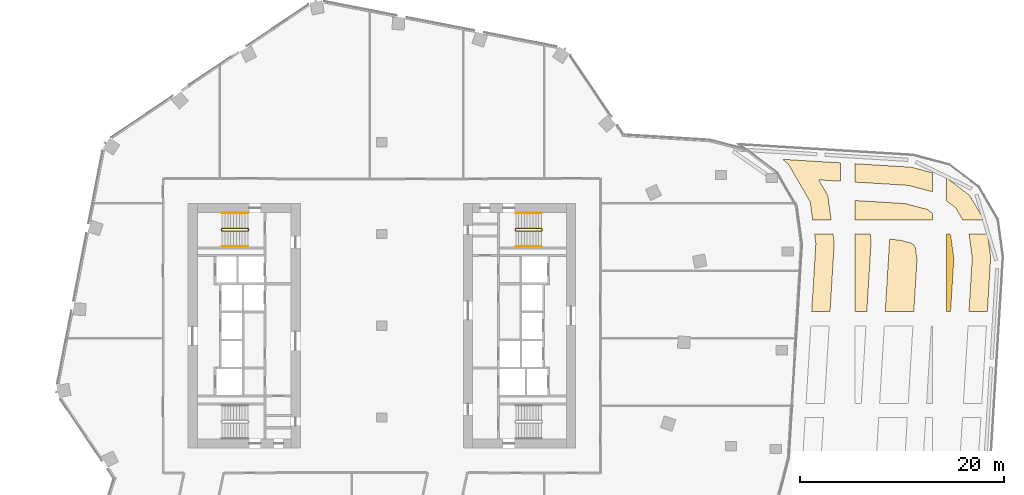
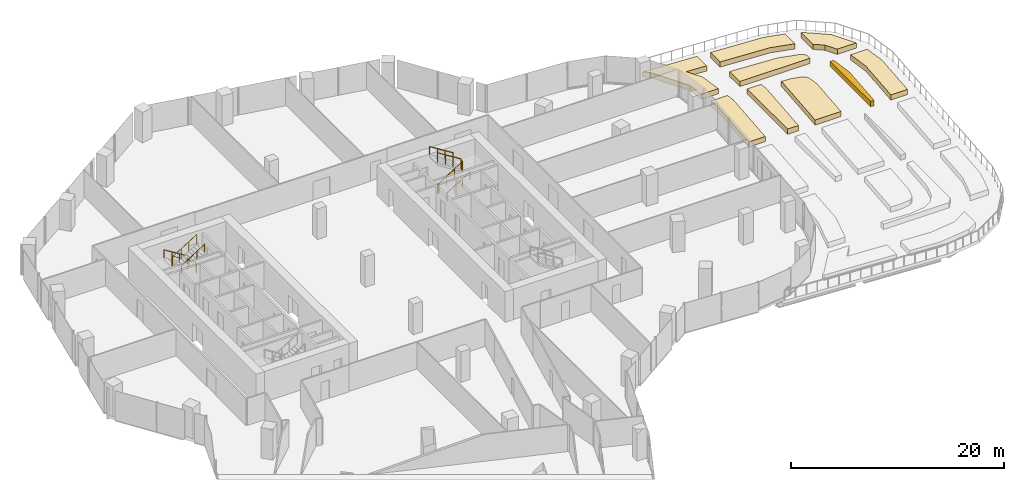
# One storey, part 26 of 26: 9 coverings, 6 railings.
"""IFC4 building model written with IfcOpenShell, lengths in metres."""

from ifc_helpers import new_model, si_unit, direction, frame, origin, origin_2d, place, context, subcontext, project, spatial, polyline, circle, outline, extrude, material, layer, layer_set, type_object, element, save


model = new_model("IFC4")

# Units and contexts
model_context = context("Model", 3, precision=1e-05, world=origin(), true_north=direction((0.0, 1.0)))
body_context = subcontext(model_context, "Body", "Model", "MODEL_VIEW")
ifc_project = project(units=[si_unit("LENGTHUNIT", "METRE"), si_unit("AREAUNIT", "SQUARE_METRE"), si_unit("VOLUMEUNIT", "CUBIC_METRE"), si_unit("PLANEANGLEUNIT", "RADIAN"), si_unit("MASSUNIT", "GRAM", prefix="KILO")], contexts=[model_context])

# Site, building, storey
site_placement = place(None, origin())
site = spatial("IfcSite", under=ifc_project, at=site_placement, CompositionType="ELEMENT")
building_placement = place(site_placement, origin())
building = spatial("IfcBuilding", under=site, at=building_placement, Name="Orlundy Tower", CompositionType="ELEMENT")
storey_placement = place(building_placement, frame((0.0, 0.0, 156.10009765625)))
storey = spatial("IfcBuildingStorey", under=building, at=storey_placement, Name="L40", CompositionType="ELEMENT", Elevation=156.10009765625)

# Coverings
ifc_material_1 = material(Name="Planted soil in precast concrete trough", Category="concrete")
ifc_layer = layer(ifc_material_1, 0.60009765625)
ifc_layer_set = layer_set([ifc_layer], Name="PLANTER box")
covering_type = type_object("IfcCoveringType", Name="PLANTER box", PredefinedType="USERDEFINED", material=ifc_layer_set)
covering_1_placement = place(storey_placement, origin())
element("IfcCovering", 1, at=covering_1_placement, inside=storey, type_object=covering_type, Name="PLANTER L40-02", ObjectType="PLANTER", PredefinedType="USERDEFINED", context=body_context, shape_type="SweptSolid", body=[
    extrude(outline(polyline([(42.011962890625, 12.178955078125), (39.843017578125, 15.89697265625), (39.27001953125, 16.3330078125), (45.0, 15.98193359375), (45.0, 14.178955078125), (42.85205078125, 14.31005859375), (43.7470703125, 12.77587890625), (44.070068359375, 10.39990234375), (42.25390625, 10.39990234375), (42.011962890625, 12.178955078125)])), origin(), (0.0, 0.0, 1.0), 0.599853515625),
])
covering_2_placement = place(storey_placement, origin())
element("IfcCovering", 2, at=covering_2_placement, inside=storey, type_object=covering_type, Name="PLANTER L40-04", ObjectType="PLANTER", PredefinedType="USERDEFINED", context=body_context, shape_type="SweptSolid", body=[
    extrude(outline(polyline([(42.571044921875, 8.06396484375), (42.444091796875, 9.0), (44.260009765625, 9.0), (44.3779296875, 8.131103515625), (43.967041015625, 1.39990234375), (42.1630859375, 1.39990234375), (42.571044921875, 8.06396484375)])), origin(), (0.0, 0.0, 1.0), 0.599853515625),
])
covering_3_placement = place(storey_placement, origin())
element("IfcCovering", 3, at=covering_3_placement, inside=storey, type_object=covering_type, Name="PLANTER L40-05", ObjectType="PLANTER", PredefinedType="USERDEFINED", context=body_context, shape_type="SweptSolid", body=[
    extrude(outline(polyline([(51.9189453125, 15.55908203125), (54.0, 15.010986328125), (54.0, 13.14990234375), (51.632080078125, 13.77294921875), (46.39990234375, 14.093017578125), (46.39990234375, 15.89697265625), (51.9189453125, 15.55908203125)])), origin(), (0.0, 0.0, 1.0), 0.599853515625),
])
covering_4_placement = place(storey_placement, origin())
element("IfcCovering", 4, at=covering_4_placement, inside=storey, type_object=covering_type, Name="PLANTER L40-07", ObjectType="PLANTER", PredefinedType="USERDEFINED", context=body_context, shape_type="SweptSolid", body=[
    extrude(outline(polyline([(57.66796875, 12.783935546875), (59.05908203125, 10.39990234375), (56.97509765625, 10.39990234375), (56.2939453125, 11.568115234375), (55.39990234375, 12.2470703125), (55.39990234375, 14.508056640625), (57.66796875, 12.783935546875)])), origin(), (0.0, 0.0, 1.0), 0.599853515625),
])
covering_5_placement = place(storey_placement, origin())
element("IfcCovering", 5, at=covering_5_placement, inside=storey, type_object=covering_type, Name="PLANTER L40-010", ObjectType="PLANTER", PredefinedType="USERDEFINED", context=body_context, shape_type="SweptSolid", body=[
    extrude(outline(polyline([(59.722900390625, 6.739013671875), (59.39599609375, 1.39990234375), (57.593017578125, 1.39990234375), (57.916015625, 6.672119140625), (57.59912109375, 9.0), (59.4150390625, 9.0), (59.722900390625, 6.739013671875)])), origin(), (0.0, 0.0, 1.0), 0.599853515625),
])
covering_6_placement = place(storey_placement, origin())
element("IfcCovering", 6, at=covering_6_placement, inside=storey, type_object=covering_type, Name="PLANTER L40-012", ObjectType="PLANTER", PredefinedType="USERDEFINED", context=body_context, shape_type="SweptSolid", body=[
    extrude(outline(polyline([(47.992919921875, 8.264892578125), (47.572998046875, 1.39990234375), (46.39990234375, 1.39990234375), (46.39990234375, 9.0), (47.89306640625, 9.0), (47.992919921875, 8.264892578125)])), origin(), (0.0, 0.0, 1.0), 0.599853515625),
])
covering_7_placement = place(storey_placement, origin())
element("IfcCovering", 7, at=covering_7_placement, inside=storey, type_object=covering_type, Name="PLANTER L40-013", ObjectType="PLANTER", PredefinedType="USERDEFINED", context=body_context, shape_type="SweptSolid", body=[
    extrude(outline(polyline([(51.344970703125, 11.987060546875), (53.52001953125, 11.4150390625), (54.0, 11.050048828125), (54.0, 10.39990234375), (46.39990234375, 10.39990234375), (46.39990234375, 12.2900390625), (51.344970703125, 11.987060546875)])), origin(), (0.0, 0.0, 1.0), 0.599853515625),
])
covering_8_placement = place(storey_placement, origin())
element("IfcCovering", 8, at=covering_8_placement, inside=storey, type_object=covering_type, Name="PLANTER L40-016", ObjectType="PLANTER", PredefinedType="USERDEFINED", context=body_context, shape_type="SweptSolid", body=[
    extrude(outline(polyline([(55.804931640625, 8.833984375), (56.10791015625, 6.60498046875), (55.7890625, 1.39990234375), (55.39990234375, 1.39990234375), (55.39990234375, 9.0), (55.7080078125, 9.0), (55.804931640625, 8.833984375)])), origin(), (0.0, 0.0, 1.0), 0.599853515625),
])
covering_9_placement = place(storey_placement, origin())
element("IfcCovering", 9, at=covering_9_placement, inside=storey, type_object=covering_type, Name="PLANTER L40-019", ObjectType="PLANTER", PredefinedType="USERDEFINED", context=body_context, shape_type="SweptSolid", body=[
    extrude(outline(polyline([(49.801025390625, 8.3310546875), (49.781005859375, 8.47705078125), (50.77197265625, 8.416015625), (51.912109375, 8.115966796875), (52.169921875, 7.9189453125), (52.333984375, 7.637939453125), (52.492919921875, 6.470947265625), (52.18310546875, 1.39990234375), (49.376953125, 1.39990234375), (49.801025390625, 8.3310546875)])), origin(), (0.0, 0.0, 1.0), 0.599853515625),
])

# Railings
ifc_material_2 = material(Name="Steel balustrade", Category="steel")
railing_type_1 = type_object("IfcRailingType", Name="Stair Guard 1100", PredefinedType="GUARDRAIL", material=ifc_material_2)
railing_1_placement = place(storey_placement, frame((-13.090087890625, 9.5, 0.0)))
element("IfcRailing", 10, at=railing_1_placement, inside=storey, type_object=railing_type_1, Name="L40 ST-W1 stair guard 1", PredefinedType="GUARDRAIL", context=body_context, shape_type="SweptSolid", body=[
    extrude(circle(Radius=0.02392578125, at=origin_2d()), frame((0.0, 0.0, 1.076171875), z_axis=(0.0, -1.0, 0.0), x_axis=(1.0, 0.0, 0.0)), (0.0, 0.0, 1.0), 0.14990234375),
    extrude(circle(Radius=0.02392578125, at=origin_2d()), frame((0.0, -0.14990234375, 1.076171875), z_axis=(-0.184313129624, 0.739963005698, 0.646902945152), x_axis=(-0.970351222016, -0.241699205484, 0.0)), (0.0, 0.0, 1.0), 0.270263671875),
    extrude(circle(Radius=0.02392578125, at=origin_2d()), frame((-0.0498046875, 0.050048828125, 1.2509765625), z_axis=(-0.847970611238, 0.0, 0.530043245855), x_axis=(0.0, -1.0, 0.0)), (0.0, 0.0, 1.0), 2.971923828125),
    extrude(circle(Radius=0.02392578125, at=origin_2d()), frame((-2.56982421875, 0.050048828125, 2.826171875), z_axis=(-0.707106781187, -0.707106781187, 0.0), x_axis=(0.707106781187, -0.707106781187, 0.0)), (0.0, 0.0, 1.0), 0.07080078125),
    extrude(circle(Radius=0.02392578125, at=origin_2d()), frame((-2.619873046875, 0.0, 2.826171875), z_axis=(0.0, -1.0, 0.0), x_axis=(1.0, 0.0, 0.0)), (0.0, 0.0, 1.0), 0.14990234375),
    extrude(circle(Radius=0.02392578125, at=origin_2d()), frame((-2.619873046875, -0.14990234375, 2.826171875), z_axis=(0.265383341853, -0.265383341853, 0.926899867156), x_axis=(0.707106781187, 0.707106781187, 0.0)), (0.0, 0.0, 1.0), 0.1884765625),
    extrude(circle(Radius=0.02392578125, at=origin_2d()), frame((-2.56982421875, -0.199951171875, 3.0009765625), z_axis=(0.847970611238, 0.0, 0.530043245855), x_axis=(0.0, 1.0, 0.0)), (0.0, 0.0, 1.0), 2.971923828125),
    extrude(circle(Radius=0.02099609375, at=origin_2d()), origin(), (0.0, 0.0, 1.0), 1.052001953125),
    extrude(circle(Radius=0.02099609375, at=origin_2d()), frame((0.0, -0.14990234375, 0.0)), (0.0, 0.0, 1.0), 1.052001953125),
    extrude(circle(Radius=0.02099609375, at=origin_2d()), frame((-0.0498046875, 0.050048828125, 0.1748046875)), (0.0, 0.0, 1.0), 1.052001953125),
    extrude(circle(Radius=0.02099609375, at=origin_2d()), frame((-0.889892578125, 0.050048828125, 0.699951171875)), (0.0, 0.0, 1.0), 1.052001953125),
    extrude(circle(Radius=0.02099609375, at=origin_2d()), frame((-1.729736328125, 0.050048828125, 1.224853515625)), (0.0, 0.0, 1.0), 1.052001953125),
    extrude(circle(Radius=0.02099609375, at=origin_2d()), frame((-2.56982421875, 0.050048828125, 1.75)), (0.0, 0.0, 1.0), 1.052001953125),
    extrude(circle(Radius=0.02099609375, at=origin_2d()), frame((-2.619873046875, 0.0, 1.75)), (0.0, 0.0, 1.0), 1.052001953125),
    extrude(circle(Radius=0.02099609375, at=origin_2d()), frame((-2.619873046875, -0.14990234375, 1.75)), (0.0, 0.0, 1.0), 1.052001953125),
    extrude(circle(Radius=0.02099609375, at=origin_2d()), frame((-2.56982421875, -0.199951171875, 1.9248046875)), (0.0, 0.0, 1.0), 1.052001953125),
    extrude(circle(Radius=0.02099609375, at=origin_2d()), frame((-1.729736328125, -0.199951171875, 2.449951171875)), (0.0, 0.0, 1.0), 1.052001953125),
    extrude(circle(Radius=0.02099609375, at=origin_2d()), frame((-0.889892578125, -0.199951171875, 2.974853515625)), (0.0, 0.0, 1.0), 1.052001953125),
    extrude(circle(Radius=0.02099609375, at=origin_2d()), frame((-0.0498046875, -0.199951171875, 3.5)), (0.0, 0.0, 1.0), 1.052001953125),
])
railing_2_placement = place(storey_placement, frame((13.090087890625, 9.35009765625, 0.0)))
element("IfcRailing", 11, at=railing_2_placement, inside=storey, type_object=railing_type_1, Name="L40 ST-E2 stair guard 1", PredefinedType="GUARDRAIL", context=body_context, shape_type="SweptSolid", body=[
    extrude(circle(Radius=0.02392578125, at=origin_2d()), frame((0.0, 0.0, 1.076171875), z_axis=(0.0, 1.0, 0.0), x_axis=(-1.0, 0.0, 0.0)), (0.0, 0.0, 1.0), 0.14990234375),
    extrude(circle(Radius=0.02392578125, at=origin_2d()), frame((0.0, 0.14990234375, 1.076171875), z_axis=(0.184313129624, -0.739963005698, 0.646902945152), x_axis=(0.970351222016, 0.241699205484, 0.0)), (0.0, 0.0, 1.0), 0.270263671875),
    extrude(circle(Radius=0.02392578125, at=origin_2d()), frame((0.0498046875, -0.050048828125, 1.2509765625), z_axis=(0.847970611238, 0.0, 0.530043245855), x_axis=(0.0, 1.0, 0.0)), (0.0, 0.0, 1.0), 2.971923828125),
    extrude(circle(Radius=0.02392578125, at=origin_2d()), frame((2.56982421875, -0.050048828125, 2.826171875), z_axis=(0.707106781187, 0.707106781187, 0.0), x_axis=(-0.707106781187, 0.707106781187, 0.0)), (0.0, 0.0, 1.0), 0.07080078125),
    extrude(circle(Radius=0.02392578125, at=origin_2d()), frame((2.619873046875, 0.0, 2.826171875), z_axis=(0.0, 1.0, 0.0), x_axis=(-1.0, 0.0, 0.0)), (0.0, 0.0, 1.0), 0.14990234375),
    extrude(circle(Radius=0.02392578125, at=origin_2d()), frame((2.619873046875, 0.14990234375, 2.826171875), z_axis=(-0.265383341853, 0.265383341853, 0.926899867156), x_axis=(-0.707106781187, -0.707106781187, 0.0)), (0.0, 0.0, 1.0), 0.1884765625),
    extrude(circle(Radius=0.02392578125, at=origin_2d()), frame((2.56982421875, 0.199951171875, 3.0009765625), z_axis=(-0.847970611238, 0.0, 0.530043245855), x_axis=(0.0, -1.0, 0.0)), (0.0, 0.0, 1.0), 2.971923828125),
    extrude(circle(Radius=0.02099609375, at=origin_2d()), origin(), (0.0, 0.0, 1.0), 1.052001953125),
    extrude(circle(Radius=0.02099609375, at=origin_2d()), frame((0.0, 0.14990234375, 0.0)), (0.0, 0.0, 1.0), 1.052001953125),
    extrude(circle(Radius=0.02099609375, at=origin_2d()), frame((0.0498046875, -0.050048828125, 0.1748046875)), (0.0, 0.0, 1.0), 1.052001953125),
    extrude(circle(Radius=0.02099609375, at=origin_2d()), frame((0.889892578125, -0.050048828125, 0.699951171875)), (0.0, 0.0, 1.0), 1.052001953125),
    extrude(circle(Radius=0.02099609375, at=origin_2d()), frame((1.729736328125, -0.050048828125, 1.224853515625)), (0.0, 0.0, 1.0), 1.052001953125),
    extrude(circle(Radius=0.02099609375, at=origin_2d()), frame((2.56982421875, -0.050048828125, 1.75)), (0.0, 0.0, 1.0), 1.052001953125),
    extrude(circle(Radius=0.02099609375, at=origin_2d()), frame((2.619873046875, 0.0, 1.75)), (0.0, 0.0, 1.0), 1.052001953125),
    extrude(circle(Radius=0.02099609375, at=origin_2d()), frame((2.619873046875, 0.14990234375, 1.75)), (0.0, 0.0, 1.0), 1.052001953125),
    extrude(circle(Radius=0.02099609375, at=origin_2d()), frame((2.56982421875, 0.199951171875, 1.9248046875)), (0.0, 0.0, 1.0), 1.052001953125),
    extrude(circle(Radius=0.02099609375, at=origin_2d()), frame((1.729736328125, 0.199951171875, 2.449951171875)), (0.0, 0.0, 1.0), 1.052001953125),
    extrude(circle(Radius=0.02099609375, at=origin_2d()), frame((0.889892578125, 0.199951171875, 2.974853515625)), (0.0, 0.0, 1.0), 1.052001953125),
    extrude(circle(Radius=0.02099609375, at=origin_2d()), frame((0.0498046875, 0.199951171875, 3.5)), (0.0, 0.0, 1.0), 1.052001953125),
])
ifc_material_3 = material(Name="Steel handrail", Category="steel")
railing_type_2 = type_object("IfcRailingType", Name="Stair Handrail 900", PredefinedType="HANDRAIL", material=ifc_material_3)
railing_3_placement = place(storey_placement, frame((-13.139892578125, 11.050048828125, 0.1748046875)))
element("IfcRailing", 12, at=railing_3_placement, inside=storey, type_object=railing_type_2, Name="L40 ST-W1 stair handrail 1", PredefinedType="HANDRAIL", context=body_context, shape_type="SweptSolid", body=[
    extrude(circle(Radius=0.02392578125, at=origin_2d()), frame((0.0, 0.0, 0.8759765625), z_axis=(-0.847970611238, 0.0, 0.530043245855), x_axis=(0.0, -1.0, 0.0)), (0.0, 0.0, 1.0), 2.971923828125),
    extrude(circle(Radius=0.02099609375, at=origin_2d()), origin(), (0.0, 0.0, 1.0), 0.851806640625),
    extrude(circle(Radius=0.02099609375, at=origin_2d()), frame((-0.840087890625, 0.0, 0.525146484375)), (0.0, 0.0, 1.0), 0.851806640625),
    extrude(circle(Radius=0.02099609375, at=origin_2d()), frame((-1.679931640625, 0.0, 1.050048828125)), (0.0, 0.0, 1.0), 0.851806640625),
    extrude(circle(Radius=0.02099609375, at=origin_2d()), frame((-2.52001953125, 0.0, 1.5751953125)), (0.0, 0.0, 1.0), 0.851806640625),
])
for number, where, name in (
    (13, (-15.659912109375, 7.800048828125, 1.9248046875), "L40 ST-W1 stair handrail 2"),
    (14, (13.139892578125, 7.800048828125, 0.1748046875), "L40 ST-E2 stair handrail 1"),
):
    element("IfcRailing", number, at=place(storey_placement, frame(where)), inside=storey, type_object=railing_type_2, Name=name, PredefinedType="HANDRAIL", context=body_context, shape_type="SweptSolid", body=[
        extrude(circle(Radius=0.02392578125, at=origin_2d()), frame((0.0, 0.0, 0.8759765625), z_axis=(0.847970611238, 0.0, 0.530043245855), x_axis=(0.0, 1.0, 0.0)), (0.0, 0.0, 1.0), 2.971923828125),
        extrude(circle(Radius=0.02099609375, at=origin_2d()), origin(), (0.0, 0.0, 1.0), 0.851806640625),
        extrude(circle(Radius=0.02099609375, at=origin_2d()), frame((0.840087890625, 0.0, 0.525146484375)), (0.0, 0.0, 1.0), 0.851806640625),
        extrude(circle(Radius=0.02099609375, at=origin_2d()), frame((1.679931640625, 0.0, 1.050048828125)), (0.0, 0.0, 1.0), 0.851806640625),
        extrude(circle(Radius=0.02099609375, at=origin_2d()), frame((2.52001953125, 0.0, 1.5751953125)), (0.0, 0.0, 1.0), 0.851806640625),
    ])
railing_4_placement = place(storey_placement, frame((15.659912109375, 11.050048828125, 1.9248046875)))
element("IfcRailing", 15, at=railing_4_placement, inside=storey, type_object=railing_type_2, Name="L40 ST-E2 stair handrail 2", PredefinedType="HANDRAIL", context=body_context, shape_type="SweptSolid", body=[
    extrude(circle(Radius=0.02392578125, at=origin_2d()), frame((0.0, 0.0, 0.8759765625), z_axis=(-0.847970611238, 0.0, 0.530043245855), x_axis=(0.0, -1.0, 0.0)), (0.0, 0.0, 1.0), 2.971923828125),
    extrude(circle(Radius=0.02099609375, at=origin_2d()), origin(), (0.0, 0.0, 1.0), 0.851806640625),
    extrude(circle(Radius=0.02099609375, at=origin_2d()), frame((-0.840087890625, 0.0, 0.525146484375)), (0.0, 0.0, 1.0), 0.851806640625),
    extrude(circle(Radius=0.02099609375, at=origin_2d()), frame((-1.679931640625, 0.0, 1.050048828125)), (0.0, 0.0, 1.0), 0.851806640625),
    extrude(circle(Radius=0.02099609375, at=origin_2d()), frame((-2.52001953125, 0.0, 1.5751953125)), (0.0, 0.0, 1.0), 0.851806640625),
])

save(model, "model.ifc")
